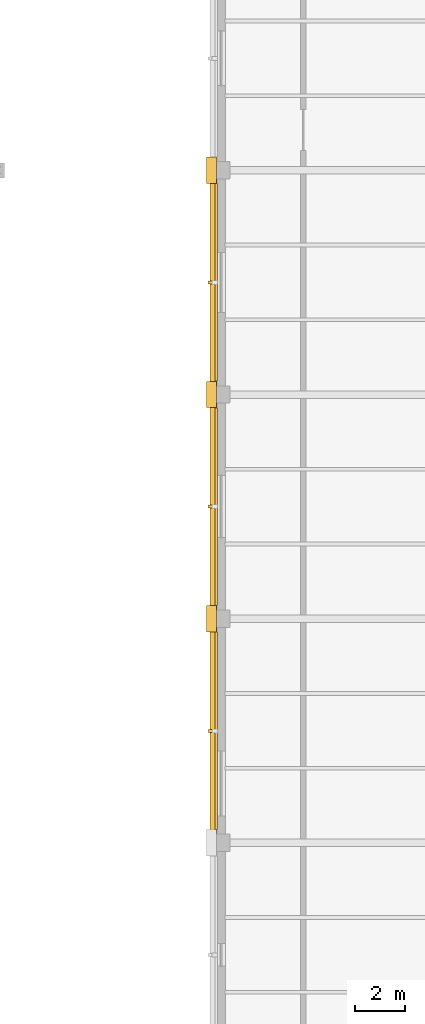
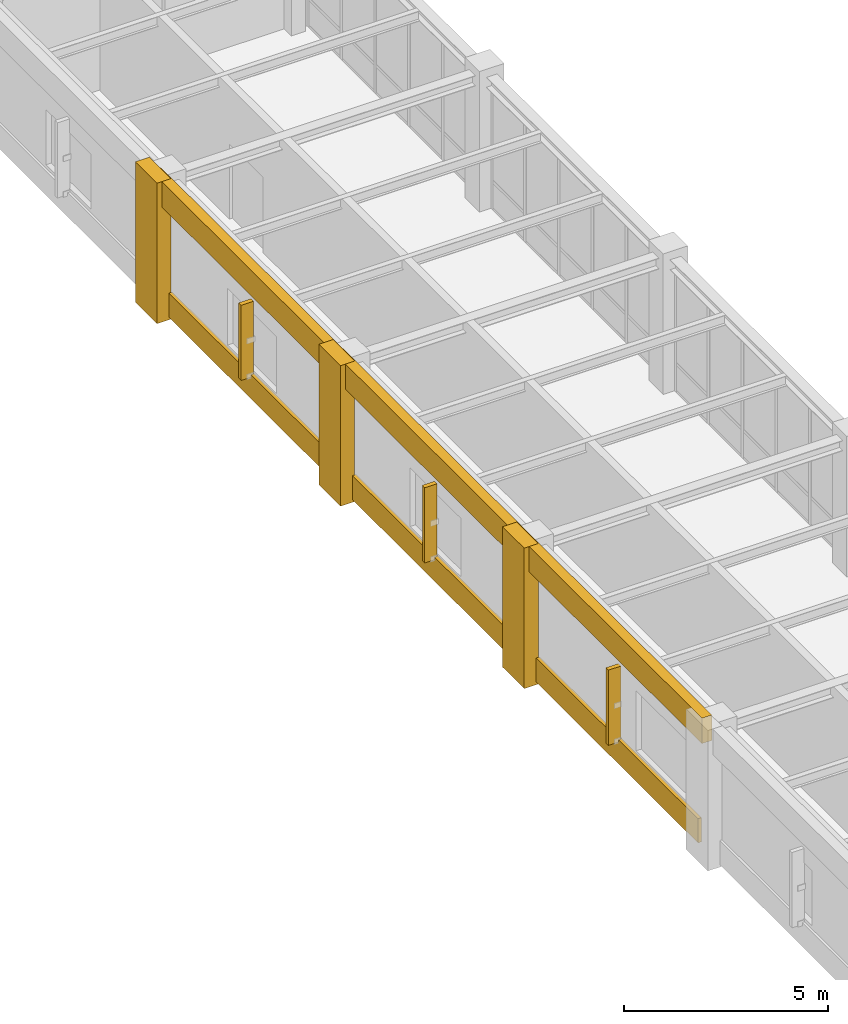
# One storey, part 105 of 108: 9 coverings, 3 shading devices.
"""IFC4 building model written with IfcOpenShell, lengths in metres."""

import ifcopenshell
import ifcopenshell.guid

model = None  # the IFC model being written
_history = None  # IfcOwnerHistory: only IFC2X3 demands one
_inside = {}  # id of a spatial element -> (the spatial element, [elements in it])
_under = {}  # id of a project, library or spatial element -> (it, [spatial elements below it])
_declared = {}  # id of a project -> (the project, [libraries it declares])
_typed = {}  # id of a type object -> (the type object, [elements of that type])
_made_of = {}  # id of a material, layer set ... -> (it, [elements and type objects made of it])


def new_model(schema):
    """Start an empty IFC model of exactly this schema.

    Asked for "IFC4X3", IfcOpenShell would pick the latest addendum, in which some entities
    have other attributes; the version numbers below select the first issue.
    IFC2X3 requires an IfcOwnerHistory on every rooted entity: one is made here for all.
    """
    global model, _history
    if schema == "IFC4X3":
        model = ifcopenshell.file(schema_version=(4, 3, 0, 0))
    else:
        model = ifcopenshell.file(schema=schema)
    _inside.clear()
    _under.clear()
    _declared.clear()
    _typed.clear()
    _made_of.clear()
    _history = None
    if model.schema == "IFC2X3":
        org = make("IfcOrganization", Name="unknown")
        user = make(
            "IfcPersonAndOrganization",
            ThePerson=make("IfcPerson", FamilyName="unknown"),
            TheOrganization=org,
        )
        app = make(
            "IfcApplication",
            ApplicationDeveloper=org,
            Version="unknown",
            ApplicationFullName="unknown",
            ApplicationIdentifier="unknown",
        )
        _history = make(
            "IfcOwnerHistory",
            OwningUser=user,
            OwningApplication=app,
            ChangeAction="ADDED",
            CreationDate=0,
        )
    return model


def make(cls, **values):
    """One entity of the class cls with the attributes given. An attribute that is None is left unset."""
    return model.create_entity(
        cls, **{name: value for name, value in values.items() if value is not None}
    )


def rooted(cls, **values):
    """An entity with a GlobalId (a new one), such as an element, a storey or a relation."""
    return make(cls, GlobalId=ifcopenshell.guid.new(), OwnerHistory=_history, **values)


def si_unit(unit_type, name, prefix=None):
    """IfcSIUnit, for example si_unit("LENGTHUNIT", "METRE", prefix="MILLI")."""
    return make("IfcSIUnit", UnitType=unit_type, Prefix=prefix, Name=name)


def assignment(units):
    """IfcUnitAssignment: the units of a project."""
    return None if units is None else make("IfcUnitAssignment", Units=units)


def point(xyz):
    """IfcCartesianPoint."""
    return None if xyz is None else make("IfcCartesianPoint", Coordinates=xyz)


def direction(xyz):
    """IfcDirection."""
    return None if xyz is None else make("IfcDirection", DirectionRatios=xyz)


def frame(location, z_axis=None, x_axis=None):
    """IfcAxis2Placement3D, a coordinate frame: its origin and axes. An axis left out is left unset."""
    return make(
        "IfcAxis2Placement3D",
        Location=point(location),
        Axis=direction(z_axis),
        RefDirection=direction(x_axis),
    )


def frame_2d(location, x_axis=None):
    """IfcAxis2Placement2D, a coordinate frame in the plane: its origin and x axis."""
    return make(
        "IfcAxis2Placement2D", Location=point(location), RefDirection=direction(x_axis)
    )


def origin():
    """The frame at (0, 0, 0) with its axes left unset."""
    return frame((0.0, 0.0, 0.0))


def origin_2d():
    """The frame at (0, 0) in the plane with its x axis left unset."""
    return frame_2d((0.0, 0.0))


def place(relative_to, where):
    """IfcLocalPlacement: puts the frame where relative to a parent placement (None: the world)."""
    return make(
        "IfcLocalPlacement", PlacementRelTo=relative_to, RelativePlacement=where
    )


def context(
    kind, dimensions, precision=None, world=None, true_north=None, identifier=None
):
    """IfcGeometricRepresentationContext, for example the 3D "Model" context."""
    return make(
        "IfcGeometricRepresentationContext",
        ContextIdentifier=identifier,
        ContextType=kind,
        CoordinateSpaceDimension=dimensions,
        Precision=precision,
        WorldCoordinateSystem=world,
        TrueNorth=true_north,
    )


def subcontext(parent, identifier, kind, view, scale=None):
    """IfcGeometricRepresentationSubContext, for example "Body" below "Model"."""
    return make(
        "IfcGeometricRepresentationSubContext",
        ContextIdentifier=identifier,
        ContextType=kind,
        ParentContext=parent,
        TargetScale=scale,
        TargetView=view,
    )


def project(units=None, contexts=None):
    """IfcProject with its units and contexts."""
    return rooted(
        "IfcProject",
        Name="project",
        RepresentationContexts=contexts,
        UnitsInContext=assignment(units),
    )


def spatial(cls, under=None, at=None, **own):
    """A site, building, storey or space (cls), placed at a placement, below another one or the project."""
    s = rooted(cls, ObjectPlacement=at, **own)
    if under is not None:
        _under.setdefault(under.id(), (under, []))[1].append(s)
    return s


def profile(cls, at=None, kind="AREA", **sizes):
    """A parametric profile (cls). Its sizes go by their IFC names, for example OverallWidth=200.0."""
    return make(cls, ProfileType=kind, Position=at, **sizes)


def rectangle(**sizes):
    """IfcRectangleProfileDef."""
    return profile("IfcRectangleProfileDef", **sizes)


def extrude(swept, where, along, depth):
    """IfcExtrudedAreaSolid: the profile swept, set in the frame where, extruded along a direction by depth."""
    return make(
        "IfcExtrudedAreaSolid",
        SweptArea=swept,
        Position=where,
        ExtrudedDirection=direction(along),
        Depth=depth,
    )


def shape(context_of_items, identifier, shape_type, items):
    """IfcShapeRepresentation: the items that make up one representation, for example the "Body"."""
    return make(
        "IfcShapeRepresentation",
        ContextOfItems=context_of_items,
        RepresentationIdentifier=identifier,
        RepresentationType=shape_type,
        Items=items,
    )


def material(Name=None, Category=None):
    """IfcMaterial."""
    return make("IfcMaterial", Name=Name, Category=Category)


def layer(
    of_material, thickness, ventilated=None, Name=None, Category=None, Priority=None
):
    """IfcMaterialLayer: one layer of a wall or slab, of a material (None: an air gap)."""
    return make(
        "IfcMaterialLayer",
        Material=of_material,
        LayerThickness=thickness,
        IsVentilated=ventilated,
        Name=Name,
        Category=Category,
        Priority=Priority,
    )


def layer_set(layers, Name=None):
    """IfcMaterialLayerSet."""
    return make("IfcMaterialLayerSet", MaterialLayers=layers, LayerSetName=Name)


def made_of(thing, what):
    """Note that an element or type object is made of a material, layer set ...; save() writes the relation."""
    if what is not None:
        _made_of.setdefault(what.id(), (what, []))[1].append(thing)
    return thing


def type_object(cls, material=None, **own):
    """A type object (cls), such as IfcWallType, which elements share."""
    return made_of(rooted(cls, **own), material)


def element(
    cls,
    number,
    at=None,
    inside=None,
    cuts=None,
    type_object=None,
    material=None,
    context=None,
    identifier="Body",
    shape_type=None,
    held_by="IfcProductDefinitionShape",
    body=None,
    shapes=None,
    **own,
):
    """One element of the class cls, such as IfcWall. Its Tag is "e" and its number.

    at: its placement. inside: the storey or other place that contains it. cuts: it is an
    opening in that element (IfcRelVoidsElement). A single representation is given by context,
    identifier, shape_type and body (its items); several are given by shapes. held_by: the class
    of the entity that holds the representations. save() writes the other relations.
    """
    e = rooted(cls, Tag="e%d" % number, ObjectPlacement=at, **own)
    if body is not None:
        shapes = [shape(context, identifier, shape_type, body)]
    if shapes is not None:
        e.Representation = make(held_by, Representations=shapes)
    if inside is not None:
        _inside.setdefault(inside.id(), (inside, []))[1].append(e)
    if cuts is not None:
        rooted(
            "IfcRelVoidsElement", RelatingBuildingElement=cuts, RelatedOpeningElement=e
        )
    if type_object is not None:
        _typed.setdefault(type_object.id(), (type_object, []))[1].append(e)
    return made_of(e, material)


def aggregate(whole, parts):
    """IfcRelAggregates: a whole, such as a stair, and the parts it consists of."""
    return rooted("IfcRelAggregates", RelatingObject=whole, RelatedObjects=parts)


def save(model, path):
    """Write the relations noted so far, then the file.

    IfcRelAggregates (storeys below a building ...), IfcRelContainedInSpatialStructure (elements
    in a storey), IfcRelDefinesByType, IfcRelAssociatesMaterial and IfcRelDeclares: one each for
    every whole, place, type object, material and project.
    """
    for whole, parts in _under.values():
        aggregate(whole, parts)
    for where, things in _inside.values():
        rooted(
            "IfcRelContainedInSpatialStructure",
            RelatedElements=things,
            RelatingStructure=where,
        )
    for kind, things in _typed.values():
        rooted("IfcRelDefinesByType", RelatedObjects=things, RelatingType=kind)
    for what, things in _made_of.values():
        rooted("IfcRelAssociatesMaterial", RelatedObjects=things, RelatingMaterial=what)
    for by, libraries in _declared.values():
        rooted("IfcRelDeclares", RelatingContext=by, RelatedDefinitions=libraries)
    model.write(path)


model = new_model("IFC4")

# Units and contexts
model_context = context("Model", 3, precision=1e-05, world=origin(), true_north=direction((0.0, 1.0)))
body_context = subcontext(model_context, "Body", "Model", "MODEL_VIEW")
ifc_project = project(units=[si_unit("LENGTHUNIT", "METRE"), si_unit("AREAUNIT", "SQUARE_METRE"), si_unit("VOLUMEUNIT", "CUBIC_METRE"), si_unit("PLANEANGLEUNIT", "RADIAN"), si_unit("MASSUNIT", "GRAM", prefix="KILO")], contexts=[model_context])

# Site, building, storey
site_placement = place(None, origin())
site = spatial("IfcSite", under=ifc_project, at=site_placement, CompositionType="ELEMENT")
building_placement = place(site_placement, origin())
building = spatial("IfcBuilding", under=site, at=building_placement, Name="Lykobir Media Centre", CompositionType="ELEMENT")
storey_placement = place(building_placement, frame((0.0, 0.0, 15.0)))
storey = spatial("IfcBuildingStorey", under=building, at=storey_placement, Name="L03", CompositionType="ELEMENT", Elevation=15.0)

# Coverings
ifc_material_1 = material(Name="Glazed Turquoise Terracotta", Category="masonry")
ifc_layer_1 = layer(ifc_material_1, 0.0400390625, Name="Glazed Turquoise Terracotta")
ifc_layer_set_1 = layer_set([ifc_layer_1], Name="Glazed Turquoise Terracotta")
covering_type_1 = type_object("IfcCoveringType", Name="CLD-TERR", PredefinedType="CLADDING", material=ifc_layer_set_1)
for number, where, z_axis, x_axis, name in (
    (1, (89.803955078125, 40.5, 0.080078125), (0.0, 0.0, 1.0), (0.0, -1.0, 0.0), "Facade spandrel apron 544"),
    (2, (89.803955078125, 49.5, 0.080078125), (0.0, 0.0, 1.0), (0.0, -1.0, 0.0), "Facade spandrel apron 547"),
    (3, (89.803955078125, 58.5, 0.080078125), (0.0, 0.0, 1.0), (0.0, -1.0, 0.0), "Facade spandrel apron 550"),
):
    element("IfcCovering", number, at=place(storey_placement, frame(where, z_axis=z_axis, x_axis=x_axis)), inside=storey, type_object=covering_type_1, Name=name, PredefinedType="CLADDING", context=body_context, shape_type="SweptSolid", body=[
        extrude(rectangle(XDim=7.929931640625, YDim=0.10009765625, at=origin_2d()), origin(), (0.0, 0.0, 1.0), 0.719970703125),
    ])
ifc_material_2 = material(Name="Honed Travertine Stone", Category="masonry")
ifc_layer_2 = layer(ifc_material_2, 0.050048828125, Name="Honed Travertine Stone")
ifc_layer_set_2 = layer_set([ifc_layer_2], Name="Honed Travertine Stone")
covering_type_2 = type_object("IfcCoveringType", Name="CLD-TRAV", PredefinedType="CLADDING", material=ifc_layer_set_2)
covering_1_placement = place(storey_placement, frame((89.6201171875, 45.0, 0.0), z_axis=(0.0, 0.0, 1.0), x_axis=(0.0, -1.0, 0.0)))
element("IfcCovering", 4, at=covering_1_placement, inside=storey, type_object=covering_type_2, Name="Travertine column pier 542", PredefinedType="CLADDING", context=body_context, shape_type="SweptSolid", body=[
    extrude(rectangle(XDim=1.06005859375, YDim=0.39990234375, at=origin_2d()), origin(), (0.0, 0.0, 1.0), 4.199951171875),
])
covering_2_placement = place(storey_placement, frame((89.699951171875, 40.5, 3.43994140625), z_axis=(0.0, 0.0, 1.0), x_axis=(0.0, -1.0, 0.0)))
element("IfcCovering", 5, at=covering_2_placement, inside=storey, type_object=covering_type_2, Name="Travertine spandrel stringcourse 543", PredefinedType="CLADDING", context=body_context, shape_type="SweptSolid", body=[
    extrude(rectangle(XDim=9.0, YDim=0.280029296875, at=origin_2d()), origin(), (0.0, 0.0, 1.0), 0.760009765625),
])
covering_3_placement = place(storey_placement, frame((89.6201171875, 54.0, 0.0), z_axis=(0.0, 0.0, 1.0), x_axis=(0.0, -1.0, 0.0)))
element("IfcCovering", 6, at=covering_3_placement, inside=storey, type_object=covering_type_2, Name="Travertine column pier 545", PredefinedType="CLADDING", context=body_context, shape_type="SweptSolid", body=[
    extrude(rectangle(XDim=1.06005859375, YDim=0.39990234375, at=origin_2d()), origin(), (0.0, 0.0, 1.0), 4.199951171875),
])
covering_4_placement = place(storey_placement, frame((89.699951171875, 49.5, 3.43994140625), z_axis=(0.0, 0.0, 1.0), x_axis=(0.0, -1.0, 0.0)))
element("IfcCovering", 7, at=covering_4_placement, inside=storey, type_object=covering_type_2, Name="Travertine spandrel stringcourse 546", PredefinedType="CLADDING", context=body_context, shape_type="SweptSolid", body=[
    extrude(rectangle(XDim=9.0, YDim=0.280029296875, at=origin_2d()), origin(), (0.0, 0.0, 1.0), 0.760009765625),
])
covering_5_placement = place(storey_placement, frame((89.6201171875, 63.0, 0.0), z_axis=(0.0, 0.0, 1.0), x_axis=(0.0, -1.0, 0.0)))
element("IfcCovering", 8, at=covering_5_placement, inside=storey, type_object=covering_type_2, Name="Travertine column pier 548", PredefinedType="CLADDING", context=body_context, shape_type="SweptSolid", body=[
    extrude(rectangle(XDim=1.06005859375, YDim=0.39990234375, at=origin_2d()), origin(), (0.0, 0.0, 1.0), 4.199951171875),
])
covering_6_placement = place(storey_placement, frame((89.699951171875, 58.5, 3.43994140625), z_axis=(0.0, 0.0, 1.0), x_axis=(0.0, -1.0, 0.0)))
element("IfcCovering", 9, at=covering_6_placement, inside=storey, type_object=covering_type_2, Name="Travertine spandrel stringcourse 549", PredefinedType="CLADDING", context=body_context, shape_type="SweptSolid", body=[
    extrude(rectangle(XDim=9.0, YDim=0.280029296875, at=origin_2d()), origin(), (0.0, 0.0, 1.0), 0.760009765625),
])

# Shading devices
shading_device_type = type_object("IfcShadingDeviceType", Name="SHD-FIN", PredefinedType="USERDEFINED", material=ifc_material_1)
for number, where, z_axis, x_axis, name in (
    (10, (89.64990234375, 40.5, 0.72509765625), (0.0, 0.0, 1.0), (0.0, -1.0, 0.0), "Terracotta shading fin 37"),
    (11, (89.64990234375, 49.5, 0.72509765625), (0.0, 0.0, 1.0), (0.0, -1.0, 0.0), "Terracotta shading fin 38"),
    (12, (89.64990234375, 58.5, 0.72509765625), (0.0, 0.0, 1.0), (0.0, -1.0, 0.0), "Terracotta shading fin 39"),
):
    element("IfcShadingDevice", number, at=place(storey_placement, frame(where, z_axis=z_axis, x_axis=x_axis)), inside=storey, type_object=shading_device_type, Name=name, ObjectType="FIN", PredefinedType="USERDEFINED", context=body_context, shape_type="SweptSolid", body=[
        extrude(rectangle(XDim=0.1201171875, YDim=0.35009765625, at=origin_2d()), origin(), (0.0, 0.0, 1.0), 2.25),
    ])

save(model, "model.ifc")
